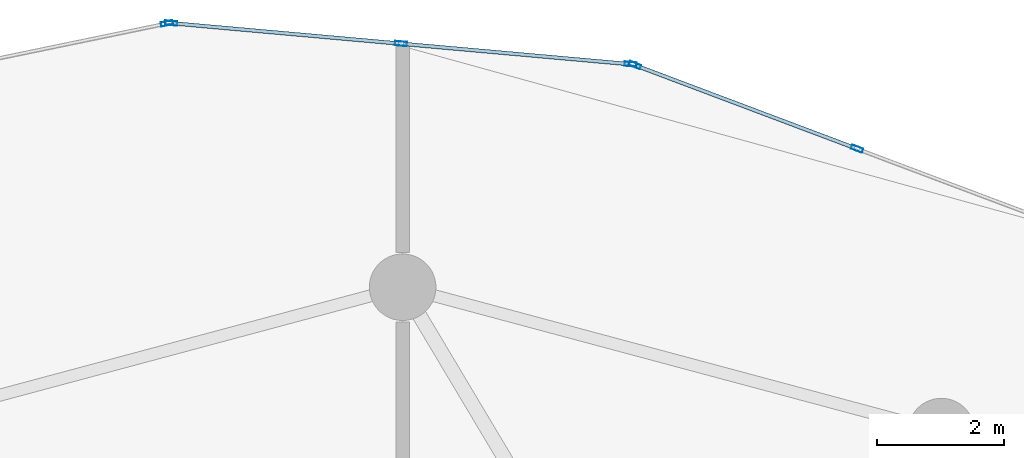
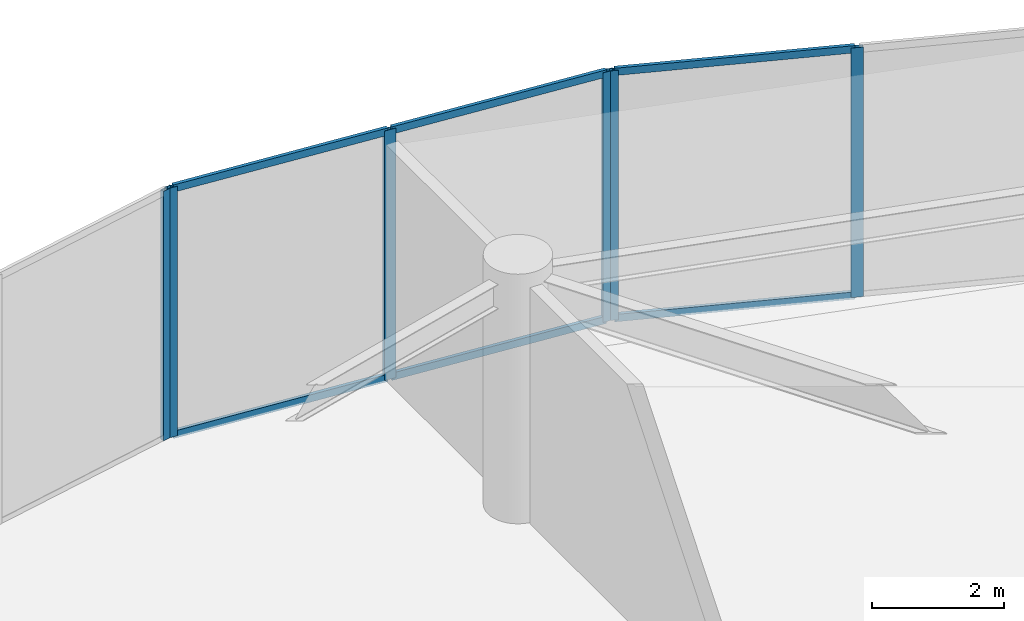
# One storey, part 21 of 28: 12 members, 3 elements without a shape of their own.
"""IFC4 building model written with IfcOpenShell, lengths in metres."""

from ifc_helpers import new_model, si_unit, direction, frame, origin, origin_2d, place, context, subcontext, project, spatial, hollow_rectangle, extrude, source, transform, mapped, material, layer, layer_set, material_profile, profile_set, type_object, element, aggregate, save


model = new_model("IFC4")

# Units and contexts
model_context = context("Model", 3, precision=1e-05, world=origin(), true_north=direction((0.0, 1.0)))
body_context = subcontext(model_context, "Body", "Model", "MODEL_VIEW")
ifc_project = project(units=[si_unit("LENGTHUNIT", "METRE"), si_unit("AREAUNIT", "SQUARE_METRE"), si_unit("VOLUMEUNIT", "CUBIC_METRE"), si_unit("PLANEANGLEUNIT", "RADIAN"), si_unit("MASSUNIT", "GRAM", prefix="KILO")], contexts=[model_context])

# Site, building, storey
site_placement = place(None, origin())
site = spatial("IfcSite", under=ifc_project, at=site_placement, CompositionType="ELEMENT")
building_placement = place(site_placement, origin())
building = spatial("IfcBuilding", under=site, at=building_placement, Name="Solvirekh Grand Hotel", CompositionType="ELEMENT")
storey_placement = place(building_placement, frame((0.0, 0.0, 98.0)))
storey = spatial("IfcBuildingStorey", under=building, at=storey_placement, Name="L24", CompositionType="ELEMENT", Elevation=98.0)

# Curtain wall, members
ifc_material = material(Name="Anodized Bronze Aluminium 6063-T6", Category="aluminium")
ifc_layer = layer(ifc_material, 0.18994140625)
ifc_layer_set = layer_set([ifc_layer], Name="Anodized Bronze Aluminium 6063-T6")
curtain_wall_type = type_object("IfcCurtainWallType", Name="CW_Sys5_SkyLobbyPanoramaCW", PredefinedType="NOTDEFINED", material=ifc_layer_set)
curtain_wall_1_placement = place(storey_placement, origin())
curtain_wall_1 = element("IfcCurtainWall", 1, at=curtain_wall_1_placement, inside=storey, type_object=curtain_wall_type, Name="L24 unitised bronze-glass curtain wall CW-L24-C06", PredefinedType="NOTDEFINED")
ifc_material_profile_1 = material_profile(ifc_material, hollow_rectangle(XDim=0.070068359375, YDim=0.18994140625, WallThickness=0.0048828125, at=origin_2d()), Name="ALU RHS 190X70X5")
ifc_profile_set_1 = profile_set([ifc_material_profile_1], Name="Anodized Bronze Aluminium 6063-T6")
member_type_1 = type_object("IfcMemberType", Name="CWMullion_Sys5", PredefinedType="MULLION", material=ifc_profile_set_1)
shared_shape_1 = source(origin(), body_context, "Body", "SweptSolid", [
    extrude(hollow_rectangle(XDim=0.070068359375, YDim=0.18994140625, WallThickness=0.0048828125, at=origin_2d()), origin(), (0.0, 0.0, 1.0), 4.60009765625),
])
member_1_placement = place(storey_placement, frame((7.16943359375, 19.1845703125, 0.0), z_axis=(0.0, 0.0, 1.0), x_axis=(-0.352268419619, -0.935899011934, 0.0)))
member_1 = element("IfcMember", 2, at=member_1_placement, type_object=member_type_1, Name="U05 mullion 2", PredefinedType="MULLION", context=body_context, shape_type="MappedRepresentation", body=[
    mapped(shared_shape_1, transform((0.0, 0.0, 0.0), x_axis=(1.0, 0.0, 0.0), y_axis=(0.0, 1.0, 0.0), z_axis=(0.0, 0.0, 1.0), scale=1.0)),
])
member_2_placement = place(storey_placement, frame((3.664794921875, 20.503662109375, 0.0), z_axis=(0.0, 0.0, 1.0), x_axis=(-0.352268419619, -0.935899011934, 0.0)))
member_2 = element("IfcMember", 3, at=member_2_placement, type_object=member_type_1, Name="U05 mullion 3", PredefinedType="MULLION", context=body_context, shape_type="MappedRepresentation", body=[
    mapped(shared_shape_1, transform((0.0, 0.0, 0.0), x_axis=(1.0, 0.0, 0.0), y_axis=(0.0, 1.0, 0.0), z_axis=(0.0, 0.0, 1.0), scale=1.0)),
])

curtain_wall_2_placement = place(storey_placement, origin())
curtain_wall_2 = element("IfcCurtainWall", 4, at=curtain_wall_2_placement, inside=storey, type_object=curtain_wall_type, Name="L24 unitised bronze-glass curtain wall CW-L24-C07", PredefinedType="NOTDEFINED")
member_3_placement = place(storey_placement, frame((3.59716796875, 20.51904296875, 0.0), z_axis=(0.0, 0.0, 1.0), x_axis=(-0.089025989388, -0.996029303391, 0.0)))
member_3 = element("IfcMember", 5, at=member_3_placement, type_object=member_type_1, Name="U05 mullion 1", PredefinedType="MULLION", context=body_context, shape_type="MappedRepresentation", body=[
    mapped(shared_shape_1, transform((0.0, 0.0, 0.0), x_axis=(1.0, 0.0, 0.0), y_axis=(0.0, 1.0, 0.0), z_axis=(0.0, 0.0, 1.0), scale=1.0)),
])
member_4_placement = place(storey_placement, frame((-0.026611328125, 20.843017578125, 0.0), z_axis=(0.0, 0.0, 1.0), x_axis=(-0.089025989388, -0.996029303391, 0.0)))
member_4 = element("IfcMember", 6, at=member_4_placement, type_object=member_type_1, Name="U05 mullion 2", PredefinedType="MULLION", context=body_context, shape_type="MappedRepresentation", body=[
    mapped(shared_shape_1, transform((0.0, 0.0, 0.0), x_axis=(1.0, 0.0, 0.0), y_axis=(0.0, 1.0, 0.0), z_axis=(0.0, 0.0, 1.0), scale=1.0)),
])
member_5_placement = place(storey_placement, frame((-3.650146484375, 21.1669921875, 0.0), z_axis=(0.0, 0.0, 1.0), x_axis=(-0.089025989388, -0.996029303391, 0.0)))
member_5 = element("IfcMember", 7, at=member_5_placement, type_object=member_type_1, Name="U05 mullion 3", PredefinedType="MULLION", context=body_context, shape_type="MappedRepresentation", body=[
    mapped(shared_shape_1, transform((0.0, 0.0, 0.0), x_axis=(1.0, 0.0, 0.0), y_axis=(0.0, 1.0, 0.0), z_axis=(0.0, 0.0, 1.0), scale=1.0)),
])

# Curtain wall, member
curtain_wall_3_placement = place(storey_placement, origin())
curtain_wall_3 = element("IfcCurtainWall", 8, at=curtain_wall_3_placement, inside=storey, type_object=curtain_wall_type, Name="L24 unitised bronze-glass curtain wall CW-L24-C08", PredefinedType="NOTDEFINED")
member_6_placement = place(storey_placement, frame((-3.71923828125, 21.162841796875, 0.0), z_axis=(0.0, 0.0, 1.0), x_axis=(0.202742807709, -0.979232022517, 0.0)))
member_6 = element("IfcMember", 9, at=member_6_placement, type_object=member_type_1, Name="U05 mullion 1", PredefinedType="MULLION", context=body_context, shape_type="MappedRepresentation", body=[
    mapped(shared_shape_1, transform((0.0, 0.0, 0.0), x_axis=(1.0, 0.0, 0.0), y_axis=(0.0, 1.0, 0.0), z_axis=(0.0, 0.0, 1.0), scale=1.0)),
])
aggregate(curtain_wall_3, [member_6])

# Member
ifc_material_profile_2 = material_profile(ifc_material, hollow_rectangle(XDim=0.06005859375, YDim=0.135009765625, WallThickness=0.00390625, at=origin_2d()), Name="ALU RHS 135X60X4")
ifc_profile_set_2 = profile_set([ifc_material_profile_2], Name="Anodized Bronze Aluminium 6063-T6")
member_type_2 = type_object("IfcMemberType", Name="CWTransom_Sys5", PredefinedType="USERDEFINED", material=ifc_profile_set_2)
shared_shape_2 = source(origin(), body_context, "Body", "SweptSolid", [
    extrude(hollow_rectangle(XDim=0.06005859375, YDim=0.135009765625, WallThickness=0.00390625, at=origin_2d()), origin(), (0.0, 0.0, 1.0), 3.6748046875),
])
member_7_placement = place(storey_placement, frame((7.13671875, 19.19677734375, 0.030029296875), z_axis=(-0.935883395564, 0.35230990606, 0.0), x_axis=(-0.35230990606, -0.935883395564, 0.0)))
member_7 = element("IfcMember", 10, at=member_7_placement, type_object=member_type_2, Name="U05 transom 2.1", ObjectType="TRANSOM", PredefinedType="USERDEFINED", context=body_context, shape_type="MappedRepresentation", body=[
    mapped(shared_shape_2, transform((0.0, 0.0, 0.0), x_axis=(1.0, 0.0, 0.0), y_axis=(0.0, 1.0, 0.0), z_axis=(0.0, 0.0, 1.0), scale=1.0)),
])

member_8_placement = place(storey_placement, frame((7.13671875, 19.19677734375, 4.570068359375), z_axis=(-0.935883395564, 0.35230990606, 0.0), x_axis=(-0.35230990606, -0.935883395564, 0.0)))
member_8 = element("IfcMember", 11, at=member_8_placement, type_object=member_type_2, Name="U05 transom 2.2", ObjectType="TRANSOM", PredefinedType="USERDEFINED", context=body_context, shape_type="MappedRepresentation", body=[
    mapped(shared_shape_2, transform((0.0, 0.0, 0.0), x_axis=(1.0, 0.0, 0.0), y_axis=(0.0, 1.0, 0.0), z_axis=(0.0, 0.0, 1.0), scale=1.0)),
])

aggregate(curtain_wall_1, [member_1, member_2, member_7, member_8])

shared_shape_3 = source(origin(), body_context, "Body", "SweptSolid", [
    extrude(hollow_rectangle(XDim=0.06005859375, YDim=0.135009765625, WallThickness=0.00390625, at=origin_2d()), origin(), (0.0, 0.0, 1.0), 3.568115234375),
])
member_9_placement = place(storey_placement, frame((3.562255859375, 20.522216796875, 0.030029296875), z_axis=(-0.996030017295, 0.08901800182, 0.0), x_axis=(-0.08901800182, -0.996030017295, 0.0)))
member_9 = element("IfcMember", 12, at=member_9_placement, type_object=member_type_2, Name="U05 transom 1.1", ObjectType="TRANSOM", PredefinedType="USERDEFINED", context=body_context, shape_type="MappedRepresentation", body=[
    mapped(shared_shape_3, transform((0.0, 0.0, 0.0), x_axis=(1.0, 0.0, 0.0), y_axis=(0.0, 1.0, 0.0), z_axis=(0.0, 0.0, 1.0), scale=1.0)),
])

member_10_placement = place(storey_placement, frame((3.562255859375, 20.522216796875, 4.570068359375), z_axis=(-0.996030017295, 0.08901800182, 0.0), x_axis=(-0.08901800182, -0.996030017295, 0.0)))
member_10 = element("IfcMember", 13, at=member_10_placement, type_object=member_type_2, Name="U05 transom 1.2", ObjectType="TRANSOM", PredefinedType="USERDEFINED", context=body_context, shape_type="MappedRepresentation", body=[
    mapped(shared_shape_3, transform((0.0, 0.0, 0.0), x_axis=(1.0, 0.0, 0.0), y_axis=(0.0, 1.0, 0.0), z_axis=(0.0, 0.0, 1.0), scale=1.0)),
])

member_11_placement = place(storey_placement, frame((-0.061279296875, 20.84619140625, 0.030029296875), z_axis=(-0.996030017295, 0.08901800182, 0.0), x_axis=(-0.08901800182, -0.996030017295, 0.0)))
member_11 = element("IfcMember", 14, at=member_11_placement, type_object=member_type_2, Name="U05 transom 2.1", ObjectType="TRANSOM", PredefinedType="USERDEFINED", context=body_context, shape_type="MappedRepresentation", body=[
    mapped(shared_shape_3, transform((0.0, 0.0, 0.0), x_axis=(1.0, 0.0, 0.0), y_axis=(0.0, 1.0, 0.0), z_axis=(0.0, 0.0, 1.0), scale=1.0)),
])

member_12_placement = place(storey_placement, frame((-0.061279296875, 20.84619140625, 4.570068359375), z_axis=(-0.996030017295, 0.08901800182, 0.0), x_axis=(-0.08901800182, -0.996030017295, 0.0)))
member_12 = element("IfcMember", 15, at=member_12_placement, type_object=member_type_2, Name="U05 transom 2.2", ObjectType="TRANSOM", PredefinedType="USERDEFINED", context=body_context, shape_type="MappedRepresentation", body=[
    mapped(shared_shape_3, transform((0.0, 0.0, 0.0), x_axis=(1.0, 0.0, 0.0), y_axis=(0.0, 1.0, 0.0), z_axis=(0.0, 0.0, 1.0), scale=1.0)),
])

aggregate(curtain_wall_2, [member_3, member_4, member_5, member_9, member_10, member_11, member_12])

save(model, "model.ifc")
